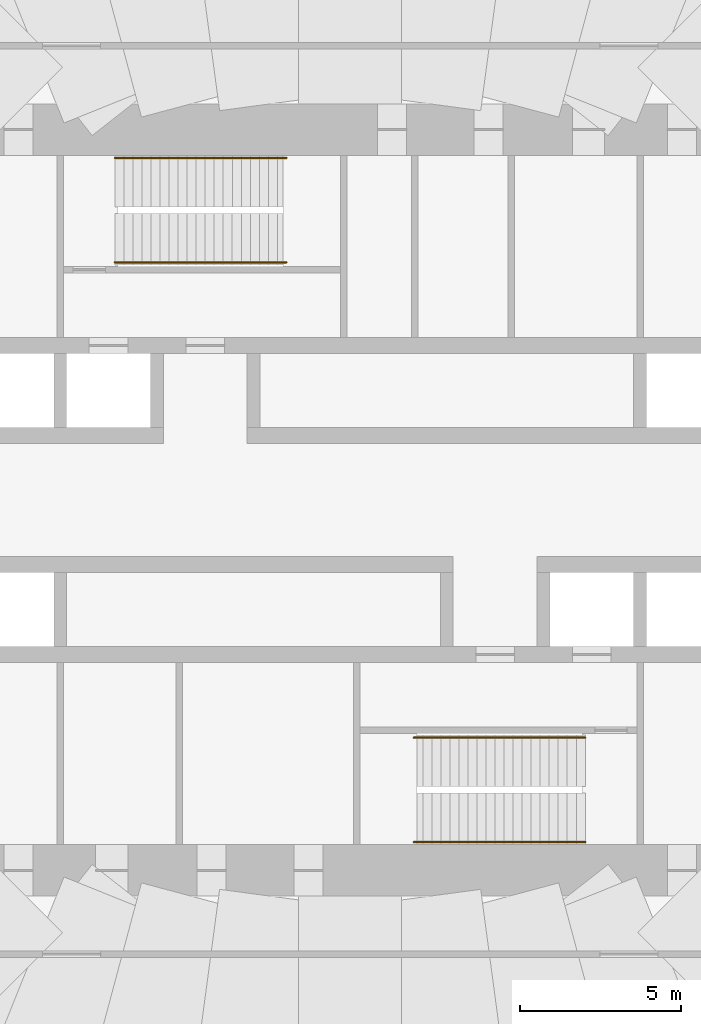
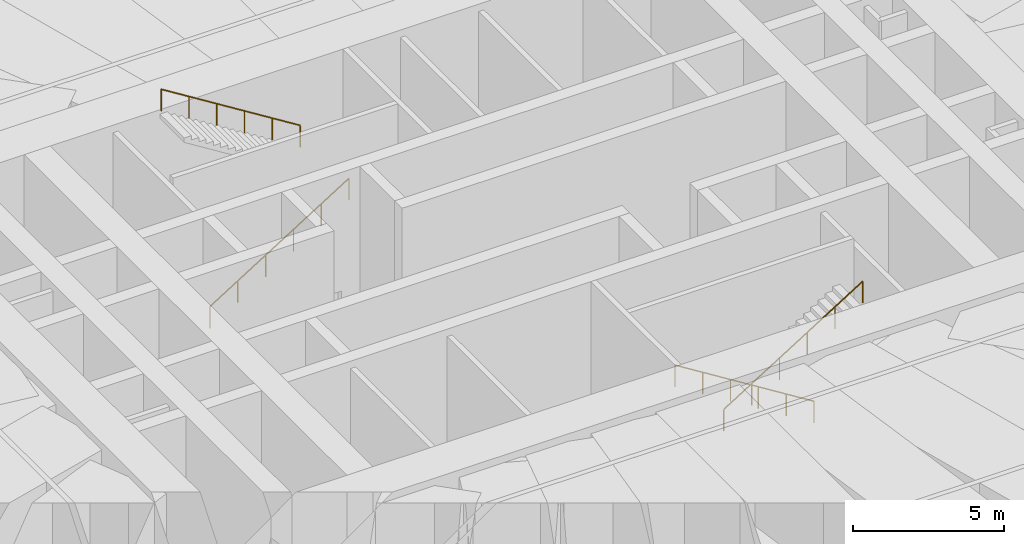
# One storey, part 16 of 16: 4 railings.
"""IFC4 building model written with IfcOpenShell, lengths in metres."""

from ifc_helpers import new_model, si_unit, direction, frame, origin, origin_2d, place, context, subcontext, project, spatial, circle, extrude, material, type_object, element, save


model = new_model("IFC4")

# Units and contexts
model_context = context("Model", 3, precision=1e-05, world=origin(), true_north=direction((0.0, 1.0)))
body_context = subcontext(model_context, "Body", "Model", "MODEL_VIEW")
ifc_project = project(units=[si_unit("LENGTHUNIT", "METRE"), si_unit("AREAUNIT", "SQUARE_METRE"), si_unit("VOLUMEUNIT", "CUBIC_METRE"), si_unit("PLANEANGLEUNIT", "RADIAN"), si_unit("MASSUNIT", "GRAM", prefix="KILO")], contexts=[model_context])

# Site, building, storey
site_placement = place(None, origin())
site = spatial("IfcSite", under=ifc_project, at=site_placement, CompositionType="ELEMENT")
building_placement = place(site_placement, origin())
building = spatial("IfcBuilding", under=site, at=building_placement, Name="Tarfa Lantern Tower", CompositionType="ELEMENT")
storey_placement = place(building_placement, frame((0.0, 0.0, 203.5)))
storey = spatial("IfcBuildingStorey", under=building, at=storey_placement, Name="L46", CompositionType="ELEMENT", Elevation=203.5)

# Railings
ifc_material = material(Name="Stainless steel", Category="steel")
railing_type = type_object("IfcRailingType", Name="HR1 HANDRAIL 900", PredefinedType="HANDRAIL", material=ifc_material)
railing_1_placement = place(storey_placement, frame((-7.300048828125, 7.3798828125, 0.175048828125)))
element("IfcRailing", 1, at=railing_1_placement, inside=storey, type_object=railing_type, Name="Handrail 1", PredefinedType="HANDRAIL", context=body_context, shape_type="SweptSolid", body=[
    extrude(circle(Radius=0.02392578125, at=origin_2d()), frame((0.0, 0.0, 0.8759765625), z_axis=(0.848004862711, 0.0, 0.52998844593), x_axis=(0.0, 1.0, 0.0)), (0.0, 0.0, 1.0), 6.273681640625),
    extrude(circle(Radius=0.02099609375, at=origin_2d()), frame((0.0, 0.0, 0.0), z_axis=(0.0, 0.0, 1.0), x_axis=(0.0, 1.0, 0.0)), (0.0, 0.0, 1.0), 0.851806640625),
    extrude(circle(Radius=0.02099609375, at=origin_2d()), frame((1.06396484375, 0.0, 0.6650390625), z_axis=(0.0, 0.0, 1.0), x_axis=(0.0, 1.0, 0.0)), (0.0, 0.0, 1.0), 0.851806640625),
    extrude(circle(Radius=0.02099609375, at=origin_2d()), frame((2.1279296875, 0.0, 1.330078125), z_axis=(0.0, 0.0, 1.0), x_axis=(0.0, 1.0, 0.0)), (0.0, 0.0, 1.0), 0.851806640625),
    extrude(circle(Radius=0.02099609375, at=origin_2d()), frame((3.192138671875, 0.0, 1.994873046875), z_axis=(0.0, 0.0, 1.0), x_axis=(0.0, 1.0, 0.0)), (0.0, 0.0, 1.0), 0.851806640625),
    extrude(circle(Radius=0.02099609375, at=origin_2d()), frame((4.256103515625, 0.0, 2.659912109375), z_axis=(0.0, 0.0, 1.0), x_axis=(0.0, 1.0, 0.0)), (0.0, 0.0, 1.0), 0.851806640625),
    extrude(circle(Radius=0.02099609375, at=origin_2d()), frame((5.320068359375, 0.0, 3.324951171875), z_axis=(0.0, 0.0, 1.0), x_axis=(0.0, 1.0, 0.0)), (0.0, 0.0, 1.0), 0.851806640625),
])
for number, where, name in (
    (2, (-1.97998046875, 10.6201171875, 3.675048828125), "Handrail 2"),
    (3, (7.300048828125, -7.3798828125, 0.175048828125), "Handrail 1"),
):
    element("IfcRailing", number, at=place(storey_placement, frame(where)), inside=storey, type_object=railing_type, Name=name, PredefinedType="HANDRAIL", context=body_context, shape_type="SweptSolid", body=[
        extrude(circle(Radius=0.02392578125, at=origin_2d()), frame((0.0, 0.0, 0.8759765625), z_axis=(-0.848004862711, 0.0, 0.52998844593), x_axis=(0.0, -1.0, 0.0)), (0.0, 0.0, 1.0), 6.273681640625),
        extrude(circle(Radius=0.02099609375, at=origin_2d()), frame((0.0, 0.0, 0.0), z_axis=(0.0, 0.0, 1.0), x_axis=(0.0, -1.0, 0.0)), (0.0, 0.0, 1.0), 0.851806640625),
        extrude(circle(Radius=0.02099609375, at=origin_2d()), frame((-1.06396484375, 0.0, 0.6650390625), z_axis=(0.0, 0.0, 1.0), x_axis=(0.0, -1.0, 0.0)), (0.0, 0.0, 1.0), 0.851806640625),
        extrude(circle(Radius=0.02099609375, at=origin_2d()), frame((-2.1279296875, 0.0, 1.330078125), z_axis=(0.0, 0.0, 1.0), x_axis=(0.0, -1.0, 0.0)), (0.0, 0.0, 1.0), 0.851806640625),
        extrude(circle(Radius=0.02099609375, at=origin_2d()), frame((-3.192138671875, 0.0, 1.994873046875), z_axis=(0.0, 0.0, 1.0), x_axis=(0.0, -1.0, 0.0)), (0.0, 0.0, 1.0), 0.851806640625),
        extrude(circle(Radius=0.02099609375, at=origin_2d()), frame((-4.256103515625, 0.0, 2.659912109375), z_axis=(0.0, 0.0, 1.0), x_axis=(0.0, -1.0, 0.0)), (0.0, 0.0, 1.0), 0.851806640625),
        extrude(circle(Radius=0.02099609375, at=origin_2d()), frame((-5.320068359375, 0.0, 3.324951171875), z_axis=(0.0, 0.0, 1.0), x_axis=(0.0, -1.0, 0.0)), (0.0, 0.0, 1.0), 0.851806640625),
    ])
railing_2_placement = place(storey_placement, frame((1.97998046875, -10.6201171875, 3.675048828125)))
element("IfcRailing", 4, at=railing_2_placement, inside=storey, type_object=railing_type, Name="Handrail 2", PredefinedType="HANDRAIL", context=body_context, shape_type="SweptSolid", body=[
    extrude(circle(Radius=0.02392578125, at=origin_2d()), frame((0.0, 0.0, 0.8759765625), z_axis=(0.848004862711, 0.0, 0.52998844593), x_axis=(0.0, 1.0, 0.0)), (0.0, 0.0, 1.0), 6.273681640625),
    extrude(circle(Radius=0.02099609375, at=origin_2d()), frame((0.0, 0.0, 0.0), z_axis=(0.0, 0.0, 1.0), x_axis=(0.0, 1.0, 0.0)), (0.0, 0.0, 1.0), 0.851806640625),
    extrude(circle(Radius=0.02099609375, at=origin_2d()), frame((1.06396484375, 0.0, 0.6650390625), z_axis=(0.0, 0.0, 1.0), x_axis=(0.0, 1.0, 0.0)), (0.0, 0.0, 1.0), 0.851806640625),
    extrude(circle(Radius=0.02099609375, at=origin_2d()), frame((2.1279296875, 0.0, 1.330078125), z_axis=(0.0, 0.0, 1.0), x_axis=(0.0, 1.0, 0.0)), (0.0, 0.0, 1.0), 0.851806640625),
    extrude(circle(Radius=0.02099609375, at=origin_2d()), frame((3.192138671875, 0.0, 1.994873046875), z_axis=(0.0, 0.0, 1.0), x_axis=(0.0, 1.0, 0.0)), (0.0, 0.0, 1.0), 0.851806640625),
    extrude(circle(Radius=0.02099609375, at=origin_2d()), frame((4.256103515625, 0.0, 2.659912109375), z_axis=(0.0, 0.0, 1.0), x_axis=(0.0, 1.0, 0.0)), (0.0, 0.0, 1.0), 0.851806640625),
    extrude(circle(Radius=0.02099609375, at=origin_2d()), frame((5.320068359375, 0.0, 3.324951171875), z_axis=(0.0, 0.0, 1.0), x_axis=(0.0, 1.0, 0.0)), (0.0, 0.0, 1.0), 0.851806640625),
])

save(model, "model.ifc")
